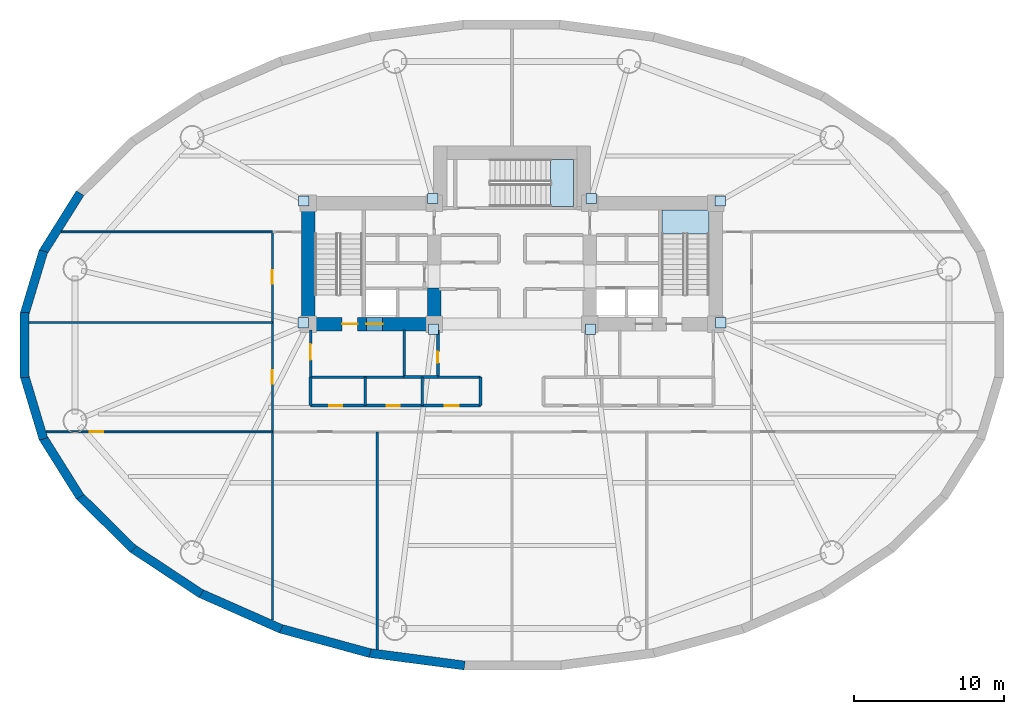
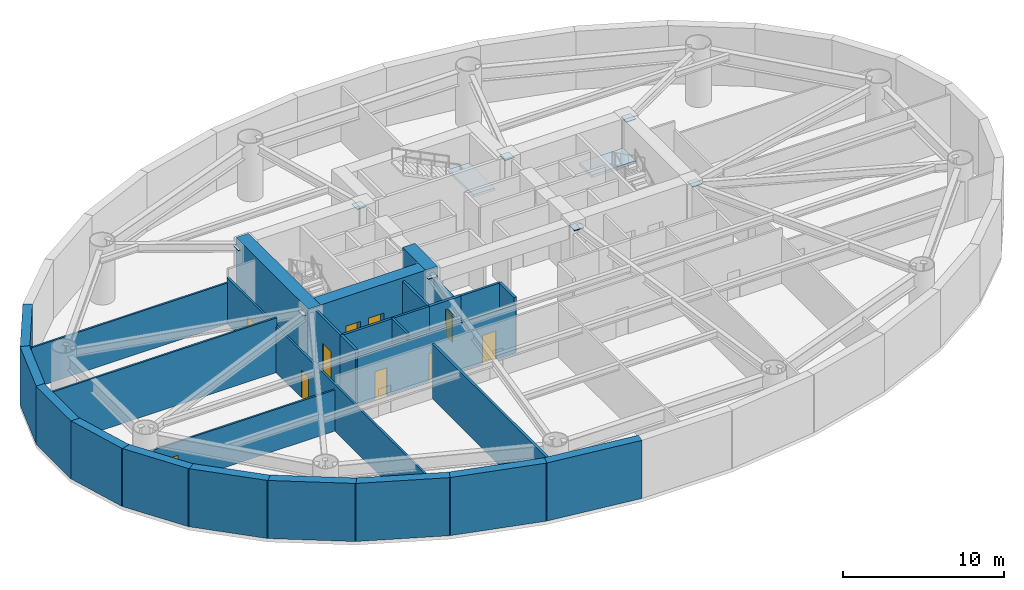
# One storey, part 2 of 6: 29 walls, 10 doors, 8 plates, 2 slabs, 10 openings, 2 elements without a shape of their own.
"""IFC4 building model written with IfcOpenShell, lengths in metres."""

from ifc_helpers import new_model, si_unit, direction, frame, frame_2d, origin, origin_2d, place, context, subcontext, project, spatial, polyline, rectangle, outline, extrude, material, layer, layer_set, type_object, element, fill, aggregate, save


model = new_model("IFC4")

# Units and contexts
model_context = context("Model", 3, precision=1e-05, world=origin(), true_north=direction((0.0, 1.0)))
body_context = subcontext(model_context, "Body", "Model", "MODEL_VIEW")
ifc_project = project(units=[si_unit("LENGTHUNIT", "METRE"), si_unit("AREAUNIT", "SQUARE_METRE"), si_unit("VOLUMEUNIT", "CUBIC_METRE"), si_unit("PLANEANGLEUNIT", "RADIAN"), si_unit("MASSUNIT", "GRAM", prefix="KILO")], contexts=[model_context])

# Site, building, storey
site_placement = place(None, origin())
site = spatial("IfcSite", under=ifc_project, at=site_placement, CompositionType="ELEMENT")
building_placement = place(site_placement, origin())
building = spatial("IfcBuilding", under=site, at=building_placement, Name="Keldmark Tower", CompositionType="ELEMENT")
storey_placement = place(building_placement, frame((0.0, 0.0, -4.39990234375)))
storey = spatial("IfcBuildingStorey", under=building, at=storey_placement, Name="B01", CompositionType="ELEMENT", Elevation=-4.39990234375)

# Plates
ifc_material_1 = material(Name="Steel ASTM A572 Grade 50", Category="steel")
ifc_layer_1 = layer(ifc_material_1, 0.06005859375)
ifc_layer_set_1 = layer_set([ifc_layer_1], Name="Steel ASTM A572 Grade 50")
plate_type = type_object("IfcPlateType", Name="Belt Truss Kink Node Assembly KN01 60 mm", PredefinedType="USERDEFINED", material=ifc_layer_set_1)
for number, where, z_axis, x_axis, name in (
    (1, (13.940673828125, 1.48046875, 3.80126953125), (0.0, 0.0, 1.0), (1.0, 0.0, 0.0), "B01 Core Wall Cast-In Embed Plate 009"),
    (2, (13.904296875, 9.623046875, 3.80126953125), (0.0, 0.0, 1.0), (1.0, 0.0, 0.0), "B01 Core Wall Cast-In Embed Plate 010"),
    (3, (5.293212890625, 9.787353515625, 3.80126953125), (0.0, 0.0, 1.0), (1.0, 0.0, 0.0), "B01 Core Wall Cast-In Embed Plate 011"),
    (4, (-5.293212890625, 9.787353515625, 3.80126953125), (0.0, 0.0, 1.0), (1.0, 0.0, 0.0), "B01 Core Wall Cast-In Embed Plate 012"),
    (5, (-13.904296875, 9.623046875, 3.80126953125), (0.0, 0.0, 1.0), (1.0, 0.0, 0.0), "B01 Core Wall Cast-In Embed Plate 013"),
    (6, (-13.940673828125, 1.48046875, 3.80126953125), (0.0, 0.0, 1.0), (1.0, 0.0, 0.0), "B01 Core Wall Cast-In Embed Plate 014"),
    (7, (-5.24462890625, 1.052978515625, 3.80126953125), (0.0, 0.0, 1.0), (1.0, 0.0, 0.0), "B01 Core Wall Cast-In Embed Plate 015"),
    (8, (5.24462890625, 1.052978515625, 3.80126953125), (0.0, 0.0, 1.0), (1.0, 0.0, 0.0), "B01 Core Wall Cast-In Embed Plate 016"),
):
    element("IfcPlate", number, at=place(storey_placement, frame(where, z_axis=z_axis, x_axis=x_axis)), inside=storey, type_object=plate_type, Name=name, ObjectType="CAP PLATE", PredefinedType="USERDEFINED", context=body_context, shape_type="SweptSolid", body=[
        extrude(rectangle(XDim=0.679931640625, YDim=0.679931640625, at=origin_2d()), origin(), (0.0, 0.0, 1.0), 0.054931640625),
    ])

# Stair, slab
ifc_material_2 = material(Name="Concrete C40/50", Category="concrete")
stair_type = type_object("IfcStairType", Name="Precast Concrete Core Exit Stair", PredefinedType="HALF_TURN_STAIR", material=ifc_material_2)
stair_1_placement = place(storey_placement, origin())
stair_1 = element("IfcStair", 9, at=stair_1_placement, inside=storey, type_object=stair_type, Name="B01 Exit Stair ST2", PredefinedType="HALF_TURN_STAIR")
ifc_material_3 = material(Name="Concrete C40/50", Category="concrete")
ifc_layer_2 = layer(ifc_material_3, 0.199951171875)
ifc_layer_set_2 = layer_set([ifc_layer_2], Name="Concrete C40/50")
slab_type = type_object("IfcSlabType", Name="Reinforced Concrete Stair Landing 200 mm", PredefinedType="LANDING", material=ifc_layer_set_2)
slab_1_placement = place(storey_placement, frame((0.0, 0.0, 2.0)))
slab_1 = element("IfcSlab", 10, at=slab_1_placement, type_object=slab_type, Name="ST2 landing 1", PredefinedType="LANDING", context=body_context, shape_type="SweptSolid", body=[
    extrude(outline(polyline([(13.14990234375, 7.409912109375), (13.14990234375, 9.0), (10.0, 9.0), (10.0, 7.409912109375), (13.14990234375, 7.409912109375)])), origin(), (0.0, 0.0, 1.0), 0.199951171875),
])
aggregate(stair_1, [slab_1])

stair_2_placement = place(storey_placement, origin())
stair_2 = element("IfcStair", 11, at=stair_2_placement, inside=storey, type_object=stair_type, Name="B01 Exit Stair ST3", PredefinedType="HALF_TURN_STAIR")
slab_2_placement = place(storey_placement, frame((0.0, 0.0, 2.0)))
slab_2 = element("IfcSlab", 12, at=slab_2_placement, type_object=slab_type, Name="ST3 landing 1", PredefinedType="LANDING", context=body_context, shape_type="SweptSolid", body=[
    extrude(outline(polyline([(2.5849609375, 9.25), (4.10498046875, 9.25), (4.10498046875, 12.39990234375), (2.5849609375, 12.39990234375), (2.5849609375, 9.25)])), origin(), (0.0, 0.0, 1.0), 0.199951171875),
])
aggregate(stair_2, [slab_2])

# Wall, openings, doors
ifc_material_4 = material(Name="Acoustic Double-Layer Gypsum Corridor Partition", Category="gypsum")
ifc_layer_3 = layer(ifc_material_4, 0.139892578125)
ifc_layer_set_3 = layer_set([ifc_layer_3], Name="Acoustic Double-Layer Gypsum Corridor Partition")
wall_type_1 = type_object("IfcWallType", Name="Acoustic Corridor Partition 140 mm", PredefinedType="PARTITIONING", material=ifc_layer_set_3)
wall_1_placement = place(storey_placement, frame((-16.0, -18.365478515625, 0.0), z_axis=(0.0, 0.0, 1.0), x_axis=(0.0, 1.0, 0.0)))
wall_1 = element("IfcWall", 13, at=wall_1_placement, inside=storey, type_object=wall_type_1, Name="B01 Acoustic Corridor Partition 140 mm COR-W", PredefinedType="PARTITIONING", context=body_context, shape_type="SweptSolid", body=[
    extrude(rectangle(XDim=25.91552734375, YDim=0.139892578125, at=frame_2d((12.957763671875, 0.0))), origin(), (0.0, 0.0, 1.0), 3.5078125),
])
opening_1_placement = place(wall_1_placement, frame((15.765869140625, 0.0, 0.0)))
opening_1 = element("IfcOpeningElement", 14, at=opening_1_placement, cuts=wall_1, Name="Opening D-IN090", PredefinedType="OPENING", context=body_context, shape_type="SweptSolid", body=[
    extrude(rectangle(XDim=0.89990234375, YDim=2.10009765625, at=frame_2d((0.449951171875, 1.050048828125))), frame((0.0, 0.079833984375, 0.0), z_axis=(0.0, -1.0, 0.0), x_axis=(1.0, 0.0, 0.0)), (0.0, 0.0, 1.0), 0.159912109375),
])
opening_2_placement = place(wall_1_placement, frame((22.44091796875, 0.0, 0.0)))
opening_2 = element("IfcOpeningElement", 15, at=opening_2_placement, cuts=wall_1, Name="Opening D-IN090", PredefinedType="OPENING", context=body_context, shape_type="SweptSolid", body=[
    extrude(rectangle(XDim=0.89990234375, YDim=2.10009765625, at=frame_2d((0.449951171875, 1.050048828125))), frame((0.0, 0.079833984375, 0.0), z_axis=(0.0, -1.0, 0.0), x_axis=(1.0, 0.0, 0.0)), (0.0, 0.0, 1.0), 0.159912109375),
])
ifc_material_5 = material(Name="Stained American White Oak Veneer", Category="wood")
door_type_1 = type_object("IfcDoorType", Name="Interior Door 900x2100", OperationType="NOTDEFINED", PredefinedType="DOOR", material=ifc_material_5)
door_1_placement = place(opening_1_placement, origin())
door_1 = element("IfcDoor", 16, at=door_1_placement, inside=storey, type_object=door_type_1, Name="B01 Interior Door 900x2100 D-WR-1-B01", OperationType="SINGLE_SWING_LEFT", OverallHeight=2.10009765625, OverallWidth=0.89990234375, PredefinedType="DOOR", context=body_context, shape_type="SweptSolid", body=[
    extrude(rectangle(XDim=0.89990234375, YDim=2.10009765625, at=frame_2d((0.449951171875, 1.050048828125))), frame((0.0, 0.02490234375, 0.0), z_axis=(0.0, -1.0, 0.0), x_axis=(1.0, 0.0, 0.0)), (0.0, 0.0, 1.0), 0.050048828125),
])
fill(opening_1, door_1)
door_2_placement = place(opening_2_placement, origin())
door_2 = element("IfcDoor", 17, at=door_2_placement, inside=storey, type_object=door_type_1, Name="B01 Interior Door 900x2100 D-WR-2-B01", OperationType="SINGLE_SWING_RIGHT", OverallHeight=2.10009765625, OverallWidth=0.89990234375, PredefinedType="DOOR", context=body_context, shape_type="SweptSolid", body=[
    extrude(rectangle(XDim=0.89990234375, YDim=2.10009765625, at=frame_2d((0.449951171875, 1.050048828125))), frame((0.0, 0.02490234375, 0.0), z_axis=(0.0, -1.0, 0.0), x_axis=(1.0, 0.0, 0.0)), (0.0, 0.0, 1.0), 0.050048828125),
])
fill(opening_2, door_2)

# Walls
ifc_material_6 = material(Name="Concrete C50/60", Category="concrete")
ifc_layer_4 = layer(ifc_material_6, 0.60009765625)
ifc_layer_set_4 = layer_set([ifc_layer_4], Name="Concrete C50/60")
wall_type_2 = type_object("IfcWallType", Name="Basement Retaining Wall 600 mm", PredefinedType="USERDEFINED", material=ifc_layer_set_4)
wall_2_placement = place(storey_placement, frame((-28.833251953125, 10.142333984375, 0.0), z_axis=(0.0, 0.0, 1.0), x_axis=(-0.531244363113, -0.847218641592, 0.0)))
element("IfcWall", 18, at=wall_2_placement, inside=storey, type_object=wall_type_2, Name="B01 Perimeter Retaining Wall 14", ObjectType="RETAINING WALL", PredefinedType="USERDEFINED", context=body_context, shape_type="SweptSolid", body=[
    extrude(rectangle(XDim=4.72021484375, YDim=0.60009765625, at=frame_2d((2.360107421875, 0.0))), origin(), (0.0, 0.0, 1.0), 4.39990234375),
])
wall_3_placement = place(storey_placement, frame((-31.283203125, 6.2705078125, 0.0), z_axis=(0.0, 0.0, 1.0), x_axis=(-0.288296686647, -0.95754113252, 0.0)))
element("IfcWall", 19, at=wall_3_placement, inside=storey, type_object=wall_type_2, Name="B01 Perimeter Retaining Wall 15", ObjectType="RETAINING WALL", PredefinedType="USERDEFINED", context=body_context, shape_type="SweptSolid", body=[
    extrude(rectangle(XDim=4.4375, YDim=0.60009765625, at=frame_2d((2.21875, 0.0))), origin(), (0.0, 0.0, 1.0), 4.39990234375),
])
wall_4_placement = place(storey_placement, frame((-32.541015625, 2.166748046875, 0.0), z_axis=(0.0, 0.0, 1.0), x_axis=(0.0, -1.0, 0.0)))
element("IfcWall", 20, at=wall_4_placement, inside=storey, type_object=wall_type_2, Name="B01 Perimeter Retaining Wall 16", ObjectType="RETAINING WALL", PredefinedType="USERDEFINED", context=body_context, shape_type="SweptSolid", body=[
    extrude(rectangle(XDim=4.33349609375, YDim=0.60009765625, at=frame_2d((2.166748046875, 0.0))), origin(), (0.0, 0.0, 1.0), 4.39990234375),
])
wall_5_placement = place(storey_placement, frame((-32.5625, -2.021484375, 0.0), z_axis=(0.0, 0.0, 1.0), x_axis=(0.288296686647, -0.95754113252, 0.0)))
element("IfcWall", 21, at=wall_5_placement, inside=storey, type_object=wall_type_2, Name="B01 Perimeter Retaining Wall 17", ObjectType="RETAINING WALL", PredefinedType="USERDEFINED", context=body_context, shape_type="SweptSolid", body=[
    extrude(rectangle(XDim=4.4375, YDim=0.60009765625, at=frame_2d((2.21875, 0.0))), origin(), (0.0, 0.0, 1.0), 4.39990234375),
])
wall_6_placement = place(storey_placement, frame((-31.3408203125, -6.143310546875, 0.0), z_axis=(0.0, 0.0, 1.0), x_axis=(0.531244363113, -0.847218641592, 0.0)))
element("IfcWall", 22, at=wall_6_placement, inside=storey, type_object=wall_type_2, Name="B01 Perimeter Retaining Wall 18", ObjectType="RETAINING WALL", PredefinedType="USERDEFINED", context=body_context, shape_type="SweptSolid", body=[
    extrude(rectangle(XDim=4.72021484375, YDim=0.60009765625, at=frame_2d((2.360107421875, 0.0))), origin(), (0.0, 0.0, 1.0), 4.39990234375),
])
wall_7_placement = place(storey_placement, frame((-28.913818359375, -10.0419921875, 0.0), z_axis=(0.0, 0.0, 1.0), x_axis=(0.711105403666, -0.70308541791, 0.0)))
element("IfcWall", 23, at=wall_7_placement, inside=storey, type_object=wall_type_2, Name="B01 Perimeter Retaining Wall 19", ObjectType="RETAINING WALL", PredefinedType="USERDEFINED", context=body_context, shape_type="SweptSolid", body=[
    extrude(rectangle(XDim=5.1142578125, YDim=0.60009765625, at=frame_2d((2.55712890625, 0.0))), origin(), (0.0, 0.0, 1.0), 4.39990234375),
])
wall_8_placement = place(storey_placement, frame((-25.368896484375, -13.56298828125, 0.0), z_axis=(0.0, 0.0, 1.0), x_axis=(0.834367518908, -0.551208529861, 0.0)))
element("IfcWall", 24, at=wall_8_placement, inside=storey, type_object=wall_type_2, Name="B01 Perimeter Retaining Wall 20", ObjectType="RETAINING WALL", PredefinedType="USERDEFINED", context=body_context, shape_type="SweptSolid", body=[
    extrude(rectangle(XDim=5.542236328125, YDim=0.60009765625, at=frame_2d((2.77099609375, 0.0))), origin(), (0.0, 0.0, 1.0), 4.39990234375),
])
wall_9_placement = place(storey_placement, frame((-20.84130859375, -16.56494140625, 0.0), z_axis=(0.0, 0.0, 1.0), x_axis=(0.91483072277, -0.403837527574, 0.0)))
element("IfcWall", 25, at=wall_9_placement, inside=storey, type_object=wall_type_2, Name="B01 Perimeter Retaining Wall 21", ObjectType="RETAINING WALL", PredefinedType="USERDEFINED", context=body_context, shape_type="SweptSolid", body=[
    extrude(rectangle(XDim=5.939697265625, YDim=0.60009765625, at=frame_2d((2.9697265625, 0.0))), origin(), (0.0, 0.0, 1.0), 4.39990234375),
])
wall_10_placement = place(storey_placement, frame((-15.505859375, -18.9287109375, 0.0), z_axis=(0.0, 0.0, 1.0), x_axis=(0.964548276597, -0.263906464707, 0.0)))
element("IfcWall", 26, at=wall_10_placement, inside=storey, type_object=wall_type_2, Name="B01 Perimeter Retaining Wall 22", ObjectType="RETAINING WALL", PredefinedType="USERDEFINED", context=body_context, shape_type="SweptSolid", body=[
    extrude(rectangle(XDim=6.256591796875, YDim=0.60009765625, at=frame_2d((3.12841796875, 0.0))), origin(), (0.0, 0.0, 1.0), 4.39990234375),
])
wall_11_placement = place(storey_placement, frame((-9.570068359375, -20.559814453125, 0.0), z_axis=(0.0, 0.0, 1.0), x_axis=(0.991471782517, -0.130321542624, 0.0)))
element("IfcWall", 27, at=wall_11_placement, inside=storey, type_object=wall_type_2, Name="B01 Perimeter Retaining Wall 23", ObjectType="RETAINING WALL", PredefinedType="USERDEFINED", context=body_context, shape_type="SweptSolid", body=[
    extrude(rectangle(XDim=6.45947265625, YDim=0.60009765625, at=frame_2d((3.229736328125, 0.0))), origin(), (0.0, 0.0, 1.0), 4.39990234375),
])
ifc_material_7 = material(Name="STC-58 Insulated Tenant Demising Gypsum Partition", Category="gypsum")
ifc_layer_5 = layer(ifc_material_7, 0.175048828125)
ifc_layer_set_5 = layer_set([ifc_layer_5], Name="STC-58 Insulated Tenant Demising Gypsum Partition")
wall_type_3 = type_object("IfcWallType", Name="Demising Suite Partition 175 mm", PredefinedType="PARTITIONING", material=ifc_layer_set_5)
wall_12_placement = place(storey_placement, frame((-9.0, -20.32421875, 0.0), z_axis=(0.0, 0.0, 1.0), x_axis=(0.0, 1.0, 0.0)))
element("IfcWall", 28, at=wall_12_placement, inside=storey, type_object=wall_type_3, Name="B01 Demising Suite Partition 175 mm S-DIV-1", PredefinedType="PARTITIONING", context=body_context, shape_type="SweptSolid", body=[
    extrude(rectangle(XDim=14.524169921875, YDim=0.175048828125, at=frame_2d((7.26220703125, 0.0))), origin(), (0.0, 0.0, 1.0), 4.139892578125),
])

# Wall, openings, doors
ifc_material_8 = material(Name="Heavy Acoustic Plumbing Chase Gypsum Assembly", Category="gypsum")
ifc_layer_6 = layer(ifc_material_8, 0.18994140625)
ifc_layer_set_6 = layer_set([ifc_layer_6], Name="Heavy Acoustic Plumbing Chase Gypsum Assembly")
wall_type_4 = type_object("IfcWallType", Name="Heavy Wet Wall 190 mm", PredefinedType="PLUMBINGWALL", material=ifc_layer_set_6)
wall_13_placement = place(storey_placement, frame((-13.449951171875, -4.050048828125, 0.0), z_axis=(0.0, 0.0, 1.0), x_axis=(1.0, 0.0, 0.0)))
wall_13 = element("IfcWall", 29, at=wall_13_placement, inside=storey, type_object=wall_type_4, Name="B01 Heavy Wet Wall 190 mm SPK-W-S", PredefinedType="PLUMBINGWALL", context=body_context, shape_type="SweptSolid", body=[
    extrude(rectangle(XDim=11.349853515625, YDim=0.18994140625, at=frame_2d((5.6748046875, 0.0))), origin(), (0.0, 0.0, 1.0), 3.6669921875),
])
opening_3_placement = place(wall_13_placement, frame((1.25, 0.0, 0.0)))
opening_3 = element("IfcOpeningElement", 30, at=opening_3_placement, cuts=wall_13, Name="Opening D-WC085", PredefinedType="OPENING", context=body_context, shape_type="SweptSolid", body=[
    extrude(rectangle(XDim=0.85009765625, YDim=2.10009765625, at=frame_2d((0.425048828125, 1.050048828125))), frame((0.0, 0.10498046875, 0.0), z_axis=(0.0, -1.0, 0.0), x_axis=(1.0, 0.0, 0.0)), (0.0, 0.0, 1.0), 0.2099609375),
])
opening_4_placement = place(wall_13_placement, frame((5.10009765625, 0.0, 0.0)))
opening_4 = element("IfcOpeningElement", 31, at=opening_4_placement, cuts=wall_13, Name="Opening D-WC085", PredefinedType="OPENING", context=body_context, shape_type="SweptSolid", body=[
    extrude(rectangle(XDim=0.85009765625, YDim=2.10009765625, at=frame_2d((0.425048828125, 1.050048828125))), frame((0.0, 0.10498046875, 0.0), z_axis=(0.0, -1.0, 0.0), x_axis=(1.0, 0.0, 0.0)), (0.0, 0.0, 1.0), 0.2099609375),
])
opening_5_placement = place(wall_13_placement, frame((8.949951171875, 0.0, 0.0)))
opening_5 = element("IfcOpeningElement", 32, at=opening_5_placement, cuts=wall_13, Name="Opening D-AWC95", PredefinedType="OPENING", context=body_context, shape_type="SweptSolid", body=[
    extrude(rectangle(XDim=0.949951171875, YDim=2.14990234375, at=frame_2d((0.47509765625, 1.074951171875))), frame((0.0, 0.10498046875, 0.0), z_axis=(0.0, -1.0, 0.0), x_axis=(1.0, 0.0, 0.0)), (0.0, 0.0, 1.0), 0.2099609375),
])
ifc_material_9 = material(Name="Painted Solid-Core Architectural Wood", Category="wood")
door_type_2 = type_object("IfcDoorType", Name="Accessible WC Door 950x2150", OperationType="NOTDEFINED", PredefinedType="DOOR", material=ifc_material_9)
door_3_placement = place(opening_5_placement, origin())
door_3 = element("IfcDoor", 33, at=door_3_placement, inside=storey, type_object=door_type_2, Name="B01 Accessible WC Door 950x2150 D-SPKW3-B01", OperationType="SINGLE_SWING_LEFT", OverallHeight=2.14990234375, OverallWidth=0.949951171875, PredefinedType="DOOR", context=body_context, shape_type="SweptSolid", body=[
    extrude(rectangle(XDim=0.949951171875, YDim=2.14990234375, at=frame_2d((0.47509765625, 1.074951171875))), frame((0.0, 0.02490234375, 0.0), z_axis=(0.0, -1.0, 0.0), x_axis=(1.0, 0.0, 0.0)), (0.0, 0.0, 1.0), 0.050048828125),
])
fill(opening_5, door_3)
ifc_material_10 = material(Name="Moisture-Sealed Painted Wood", Category="wood")
door_type_3 = type_object("IfcDoorType", Name="WC Door 850x2100", OperationType="NOTDEFINED", PredefinedType="DOOR", material=ifc_material_10)
door_4_placement = place(opening_3_placement, origin())
door_4 = element("IfcDoor", 34, at=door_4_placement, inside=storey, type_object=door_type_3, Name="B01 WC Door 850x2100 D-SPKW1-B01", OperationType="SINGLE_SWING_LEFT", OverallHeight=2.10009765625, OverallWidth=0.85009765625, PredefinedType="DOOR", context=body_context, shape_type="SweptSolid", body=[
    extrude(rectangle(XDim=0.85009765625, YDim=2.10009765625, at=frame_2d((0.425048828125, 1.050048828125))), frame((0.0, 0.02490234375, 0.0), z_axis=(0.0, -1.0, 0.0), x_axis=(1.0, 0.0, 0.0)), (0.0, 0.0, 1.0), 0.050048828125),
])
fill(opening_3, door_4)
door_5_placement = place(opening_4_placement, origin())
door_5 = element("IfcDoor", 35, at=door_5_placement, inside=storey, type_object=door_type_3, Name="B01 WC Door 850x2100 D-SPKW2-B01", OperationType="SINGLE_SWING_RIGHT", OverallHeight=2.10009765625, OverallWidth=0.85009765625, PredefinedType="DOOR", context=body_context, shape_type="SweptSolid", body=[
    extrude(rectangle(XDim=0.85009765625, YDim=2.10009765625, at=frame_2d((0.425048828125, 1.050048828125))), frame((0.0, 0.02490234375, 0.0), z_axis=(0.0, -1.0, 0.0), x_axis=(1.0, 0.0, 0.0)), (0.0, 0.0, 1.0), 0.050048828125),
])
fill(opening_4, door_5)

# Walls
for number, where, z_axis, x_axis, name in (
    (36, (-13.449951171875, -4.050048828125, 0.0), (0.0, 0.0, 1.0), (0.0, 1.0, 0.0), "B01 Heavy Wet Wall 190 mm SPK-W-W"),
    (37, (-2.10009765625, -4.050048828125, 0.0), (0.0, 0.0, 1.0), (0.0, 1.0, 0.0), "B01 Heavy Wet Wall 190 mm SPK-W-E"),
):
    element("IfcWall", number, at=place(storey_placement, frame(where, z_axis=z_axis, x_axis=x_axis)), inside=storey, type_object=wall_type_4, Name=name, PredefinedType="PLUMBINGWALL", context=body_context, shape_type="SweptSolid", body=[
        extrude(rectangle(XDim=1.900146484375, YDim=0.18994140625, at=frame_2d((0.9501953125, 0.0))), origin(), (0.0, 0.0, 1.0), 4.139892578125),
    ])
ifc_material_11 = material(Name="Acoustic Gypsum Board Interior Partition", Category="gypsum")
ifc_layer_7 = layer(ifc_material_11, 0.1298828125)
ifc_layer_set_7 = layer_set([ifc_layer_7], Name="Acoustic Gypsum Board Interior Partition")
wall_type_5 = type_object("IfcWallType", Name="Interior Partition 130 mm", PredefinedType="PARTITIONING", material=ifc_layer_set_7)
wall_14_placement = place(storey_placement, frame((-30.09521484375, 7.550048828125, 0.0), z_axis=(0.0, 0.0, 1.0), x_axis=(1.0, 0.0, 0.0)))
element("IfcWall", 38, at=wall_14_placement, inside=storey, type_object=wall_type_5, Name="B01 Interior Partition 130 mm W-CAP-N", PredefinedType="PARTITIONING", context=body_context, shape_type="SweptSolid", body=[
    extrude(rectangle(XDim=14.09521484375, YDim=0.1298828125, at=frame_2d((7.047607421875, 0.0))), origin(), (0.0, 0.0, 1.0), 3.117919921875),
])

# Wall, opening, door
wall_15_placement = place(storey_placement, frame((-31.10302734375, -5.800048828125, 0.0), z_axis=(0.0, 0.0, 1.0), x_axis=(1.0, 0.0, 0.0)))
wall_15 = element("IfcWall", 39, at=wall_15_placement, inside=storey, type_object=wall_type_5, Name="B01 Interior Partition 130 mm W-CAP-S", PredefinedType="PARTITIONING", context=body_context, shape_type="SweptSolid", body=[
    extrude(rectangle(XDim=15.10302734375, YDim=0.1298828125, at=frame_2d((7.551513671875, 0.0))), origin(), (0.0, 0.0, 1.0), 3.117919921875),
])
opening_6_placement = place(wall_15_placement, frame((2.909912109375, 0.0, 0.0)))
opening_6 = element("IfcOpeningElement", 40, at=opening_6_placement, cuts=wall_15, Name="Opening D-IN090", PredefinedType="OPENING", context=body_context, shape_type="SweptSolid", body=[
    extrude(rectangle(XDim=0.89990234375, YDim=2.10009765625, at=frame_2d((0.449951171875, 1.050048828125))), frame((0.0, 0.074951171875, 0.0), z_axis=(0.0, -1.0, 0.0), x_axis=(1.0, 0.0, 0.0)), (0.0, 0.0, 1.0), 0.14990234375),
])
door_6_placement = place(opening_6_placement, origin())
door_6 = element("IfcDoor", 41, at=door_6_placement, inside=storey, type_object=door_type_1, Name="B01 Interior Door 900x2100 D-WRSW-B01", OperationType="SINGLE_SWING_RIGHT", OverallHeight=2.10009765625, OverallWidth=0.89990234375, PredefinedType="DOOR", context=body_context, shape_type="SweptSolid", body=[
    extrude(rectangle(XDim=0.89990234375, YDim=2.10009765625, at=frame_2d((0.449951171875, 1.050048828125))), frame((0.0, 0.02490234375, 0.0), z_axis=(0.0, -1.0, 0.0), x_axis=(1.0, 0.0, 0.0)), (0.0, 0.0, 1.0), 0.050048828125),
])
fill(opening_6, door_6)

# Walls
wall_16_placement = place(storey_placement, frame((-32.233154296875, 1.5, 0.0), z_axis=(0.0, 0.0, 1.0), x_axis=(1.0, 0.0, 0.0)))
element("IfcWall", 42, at=wall_16_placement, inside=storey, type_object=wall_type_5, Name="B01 Interior Partition 130 mm W-DIV-1", PredefinedType="PARTITIONING", context=body_context, shape_type="SweptSolid", body=[
    extrude(rectangle(XDim=16.233154296875, YDim=0.1298828125, at=frame_2d((8.11669921875, 0.0))), origin(), (0.0, 0.0, 1.0), 4.139892578125),
])
ifc_material_12 = material(Name="Concrete C70/85", Category="concrete")
ifc_layer_8 = layer(ifc_material_12, 0.89990234375)
ifc_layer_set_8 = layer_set([ifc_layer_8], Name="Concrete C70/85")
wall_type_6 = type_object("IfcWallType", Name="Lower Core Shear Wall 900 mm", PredefinedType="SHEAR", material=ifc_layer_set_8)
wall_17_placement = place(storey_placement, frame((-13.60009765625, 0.949951171875, 0.0), z_axis=(0.0, 0.0, 1.0), x_axis=(0.0, 1.0, 0.0)))
element("IfcWall", 43, at=wall_17_placement, inside=storey, type_object=wall_type_6, Name="B01 West Core Outer Shear Wall", PredefinedType="SHEAR", context=body_context, shape_type="SweptSolid", body=[
    extrude(rectangle(XDim=8.949951171875, YDim=0.89990234375, at=frame_2d((4.47509765625, 0.0))), origin(), (0.0, 0.0, 1.0), 4.39990234375),
])

# Wall, openings, doors
wall_18_placement = place(storey_placement, frame((-4.75, 1.39990234375, 0.0), z_axis=(0.0, 0.0, 1.0), x_axis=(-1.0, 0.0, 0.0)))
wall_18 = element("IfcWall", 44, at=wall_18_placement, inside=storey, type_object=wall_type_6, Name="B01 West Core South Shear Wall", PredefinedType="SHEAR", context=body_context, shape_type="SweptSolid", body=[
    extrude(rectangle(XDim=9.300048828125, YDim=0.89990234375, at=frame_2d((4.64990234375, 0.0))), origin(), (0.0, 0.0, 1.0), 4.39990234375),
])
opening_7_placement = place(wall_18_placement, frame((5.550048828125, 0.0, 0.0)))
opening_7 = element("IfcOpeningElement", 45, at=opening_7_placement, cuts=wall_18, Name="Opening D-ST105", PredefinedType="OPENING", context=body_context, shape_type="SweptSolid", body=[
    extrude(rectangle(XDim=1.050048828125, YDim=2.14990234375, at=frame_2d((0.52490234375, 1.074951171875))), frame((0.0, 0.4599609375, 0.0), z_axis=(0.0, -1.0, 0.0), x_axis=(1.0, 0.0, 0.0)), (0.0, 0.0, 1.0), 0.919921875),
])
opening_8_placement = place(wall_18_placement, frame((3.8798828125, 0.0, 0.0)))
opening_8 = element("IfcOpeningElement", 46, at=opening_8_placement, cuts=wall_18, Name="Opening LD-110", PredefinedType="OPENING", context=body_context, shape_type="SweptSolid", body=[
    extrude(rectangle(XDim=1.10009765625, YDim=2.199951171875, at=frame_2d((0.550048828125, 1.10009765625))), frame((0.0, 0.4599609375, 0.0), z_axis=(0.0, -1.0, 0.0), x_axis=(1.0, 0.0, 0.0)), (0.0, 0.0, 1.0), 0.919921875),
])
ifc_material_13 = material(Name="Brushed Bronze Hoistway Sliding Leaf", Category="metal")
door_type_4 = type_object("IfcDoorType", Name="Lift Landing Sliding Door 1100x2200", OperationType="SLIDING_TO_LEFT", PredefinedType="DOOR", material=ifc_material_13)
door_7_placement = place(opening_8_placement, origin())
door_7 = element("IfcDoor", 47, at=door_7_placement, inside=storey, type_object=door_type_4, Name="B01 Lift Landing Sliding Door 1100x2200 LD-EL-FS1-B01", OperationType="SLIDING_TO_LEFT", OverallHeight=2.199951171875, OverallWidth=1.10009765625, PredefinedType="DOOR", context=body_context, shape_type="SweptSolid", body=[
    extrude(rectangle(XDim=1.10009765625, YDim=2.199951171875, at=frame_2d((0.550048828125, 1.10009765625))), frame((0.0, 0.02490234375, 0.0), z_axis=(0.0, -1.0, 0.0), x_axis=(1.0, 0.0, 0.0)), (0.0, 0.0, 1.0), 0.050048828125),
])
fill(opening_8, door_7)
ifc_material_14 = material(Name="Hollow Metal Fire-Rated Door Assembly", Category="metal")
door_type_5 = type_object("IfcDoorType", Name="Stair Fire Door 1050x2150", OperationType="NOTDEFINED", PredefinedType="DOOR", material=ifc_material_14)
door_8_placement = place(opening_7_placement, origin())
door_8 = element("IfcDoor", 48, at=door_8_placement, inside=storey, type_object=door_type_5, Name="B01 Stair Fire Door 1050x2150 D-ST1-B01", OperationType="SINGLE_SWING_RIGHT", OverallHeight=2.14990234375, OverallWidth=1.050048828125, PredefinedType="DOOR", context=body_context, shape_type="SweptSolid", body=[
    extrude(rectangle(XDim=1.050048828125, YDim=2.14990234375, at=frame_2d((0.52490234375, 1.074951171875))), frame((0.0, 0.02490234375, 0.0), z_axis=(0.0, -1.0, 0.0), x_axis=(1.0, 0.0, 0.0)), (0.0, 0.0, 1.0), 0.050048828125),
])
fill(opening_7, door_8)

# Walls
wall_19_placement = place(storey_placement, frame((-5.199951171875, 0.949951171875, 0.0), z_axis=(0.0, 0.0, 1.0), x_axis=(0.0, 1.0, 0.0)))
element("IfcWall", 49, at=wall_19_placement, inside=storey, type_object=wall_type_6, Name="B01 West Core Inner Shear Pier South", PredefinedType="SHEAR", context=body_context, shape_type="SweptSolid", body=[
    extrude(rectangle(XDim=2.85009765625, YDim=0.89990234375, at=frame_2d((1.425048828125, 0.0))), origin(), (0.0, 0.0, 1.0), 4.39990234375),
])
ifc_material_15 = material(Name="Type X Fire-Rated Gypsum Partition Assembly", Category="gypsum")
ifc_layer_9 = layer(ifc_material_15, 0.1650390625)
ifc_layer_set_9 = layer_set([ifc_layer_9], Name="Type X Fire-Rated Gypsum Partition Assembly")
wall_type_7 = type_object("IfcWallType", Name="Rated Partition 165 mm", PredefinedType="PARTITIONING", material=ifc_layer_set_9)
wall_20_placement = place(storey_placement, frame((-13.449951171875, -2.14990234375, 0.0), z_axis=(0.0, 0.0, 1.0), x_axis=(1.0, 0.0, 0.0)))
element("IfcWall", 50, at=wall_20_placement, inside=storey, type_object=wall_type_7, Name="B01 Rated Partition 165 mm FSAE-W-S", PredefinedType="PARTITIONING", context=body_context, shape_type="SweptSolid", body=[
    extrude(rectangle(XDim=6.25, YDim=0.1650390625, at=frame_2d((3.125, 0.0))), origin(), (0.0, 0.0, 1.0), 4.139892578125),
])

# Wall, opening, door
wall_21_placement = place(storey_placement, frame((-13.449951171875, -2.14990234375, 0.0), z_axis=(0.0, 0.0, 1.0), x_axis=(0.0, 1.0, 0.0)))
wall_21 = element("IfcWall", 51, at=wall_21_placement, inside=storey, type_object=wall_type_7, Name="B01 Rated Partition 165 mm FSAE-W-W", PredefinedType="PARTITIONING", context=body_context, shape_type="SweptSolid", body=[
    extrude(rectangle(XDim=3.14990234375, YDim=0.1650390625, at=frame_2d((1.574951171875, 0.0))), origin(), (0.0, 0.0, 1.0), 4.139892578125),
])
opening_9_placement = place(wall_21_placement, frame((1.14990234375, 0.0, 0.0)))
opening_9 = element("IfcOpeningElement", 52, at=opening_9_placement, cuts=wall_21, Name="Opening D-FL105", PredefinedType="OPENING", context=body_context, shape_type="SweptSolid", body=[
    extrude(rectangle(XDim=1.050048828125, YDim=2.14990234375, at=frame_2d((0.52490234375, 1.074951171875))), frame((0.0, 0.092529296875, 0.0), z_axis=(0.0, -1.0, 0.0), x_axis=(1.0, 0.0, 0.0)), (0.0, 0.0, 1.0), 0.18505859375),
])
ifc_material_16 = material(Name="Fire-Rated Mineral-Core Door and Vision Lite", Category="metal")
door_type_6 = type_object("IfcDoorType", Name="Fire Lobby Door 1050x2150", OperationType="NOTDEFINED", PredefinedType="DOOR", material=ifc_material_16)
door_9_placement = place(opening_9_placement, origin())
door_9 = element("IfcDoor", 53, at=door_9_placement, inside=storey, type_object=door_type_6, Name="B01 Fire Lobby Door 1050x2150 D-FSAEW-OUT-B01", OperationType="SINGLE_SWING_LEFT", OverallHeight=2.14990234375, OverallWidth=1.050048828125, PredefinedType="DOOR", context=body_context, shape_type="SweptSolid", body=[
    extrude(rectangle(XDim=1.050048828125, YDim=2.14990234375, at=frame_2d((0.52490234375, 1.074951171875))), frame((0.0, 0.02490234375, 0.0), z_axis=(0.0, -1.0, 0.0), x_axis=(1.0, 0.0, 0.0)), (0.0, 0.0, 1.0), 0.050048828125),
])
fill(opening_9, door_9)

# Walls
wall_22_placement = place(storey_placement, frame((-7.199951171875, -2.14990234375, 0.0), z_axis=(0.0, 0.0, 1.0), x_axis=(0.0, 1.0, 0.0)))
element("IfcWall", 54, at=wall_22_placement, inside=storey, type_object=wall_type_7, Name="B01 Rated Partition 165 mm FSAE-W-E", PredefinedType="PARTITIONING", context=body_context, shape_type="SweptSolid", body=[
    extrude(rectangle(XDim=3.14990234375, YDim=0.1650390625, at=frame_2d((1.574951171875, 0.0))), origin(), (0.0, 0.0, 1.0), 4.139892578125),
])
ifc_material_17 = material(Name="Fire-Resistant Type X Gypsum Shaftliner Coreboard", Category="gypsum")
ifc_layer_10 = layer(ifc_material_17, 0.199951171875)
ifc_layer_set_10 = layer_set([ifc_layer_10], Name="Fire-Resistant Type X Gypsum Shaftliner Coreboard")
wall_type_8 = type_object("IfcWallType", Name="Shaft Wall 200 mm", PredefinedType="SOLIDWALL", material=ifc_layer_set_10)
wall_23_placement = place(storey_placement, frame((-7.199951171875, -2.14990234375, 0.0), z_axis=(0.0, 0.0, 1.0), x_axis=(1.0, 0.0, 0.0)))
element("IfcWall", 55, at=wall_23_placement, inside=storey, type_object=wall_type_8, Name="B01 Shaft Wall 200 mm RIS-SW-S", PredefinedType="SOLIDWALL", context=body_context, shape_type="SweptSolid", body=[
    extrude(rectangle(XDim=2.25, YDim=0.199951171875, at=frame_2d((1.125, 0.0))), origin(), (0.0, 0.0, 1.0), 4.139892578125),
])

# Wall, opening, door
wall_24_placement = place(storey_placement, frame((-4.949951171875, -2.14990234375, 0.0), z_axis=(0.0, 0.0, 1.0), x_axis=(0.0, 1.0, 0.0)))
wall_24 = element("IfcWall", 56, at=wall_24_placement, inside=storey, type_object=wall_type_8, Name="B01 Shaft Wall 200 mm RIS-SW-E", PredefinedType="SOLIDWALL", context=body_context, shape_type="SweptSolid", body=[
    extrude(rectangle(XDim=3.14990234375, YDim=0.199951171875, at=frame_2d((1.574951171875, 0.0))), origin(), (0.0, 0.0, 1.0), 3.5078125),
])
opening_10_placement = place(wall_24_placement, frame((0.949951171875, 0.0, 0.0)))
opening_10 = element("IfcOpeningElement", 57, at=opening_10_placement, cuts=wall_24, Name="Opening D-RS075", PredefinedType="OPENING", context=body_context, shape_type="SweptSolid", body=[
    extrude(rectangle(XDim=0.75, YDim=2.10009765625, at=frame_2d((0.375, 1.050048828125))), frame((0.0, 0.10986328125, 0.0), z_axis=(0.0, -1.0, 0.0), x_axis=(1.0, 0.0, 0.0)), (0.0, 0.0, 1.0), 0.219970703125),
])
ifc_material_18 = material(Name="Galvanized Fire-Rated Access Leaf", Category="metal")
door_type_7 = type_object("IfcDoorType", Name="Riser Access Door 750x2100", OperationType="NOTDEFINED", PredefinedType="DOOR", material=ifc_material_18)
door_10_placement = place(opening_10_placement, origin())
door_10 = element("IfcDoor", 58, at=door_10_placement, inside=storey, type_object=door_type_7, Name="B01 Riser Access Door 750x2100 D-RISSW-B01", OperationType="SINGLE_SWING_RIGHT", OverallHeight=2.10009765625, OverallWidth=0.75, PredefinedType="DOOR", context=body_context, shape_type="SweptSolid", body=[
    extrude(rectangle(XDim=0.75, YDim=2.10009765625, at=frame_2d((0.375, 1.050048828125))), frame((0.0, 0.02490234375, 0.0), z_axis=(0.0, -1.0, 0.0), x_axis=(1.0, 0.0, 0.0)), (0.0, 0.0, 1.0), 0.050048828125),
])
fill(opening_10, door_10)

# Walls
ifc_material_19 = material(Name="Moisture-Resistant Gypsum Plumbing Partition", Category="gypsum")
ifc_layer_11 = layer(ifc_material_19, 0.14990234375)
ifc_layer_set_11 = layer_set([ifc_layer_11], Name="Moisture-Resistant Gypsum Plumbing Partition")
wall_type_9 = type_object("IfcWallType", Name="Wet Wall 150 mm", PredefinedType="PLUMBINGWALL", material=ifc_layer_set_11)
wall_25_placement = place(storey_placement, frame((-4.949951171875, -2.14990234375, 0.0), z_axis=(0.0, 0.0, 1.0), x_axis=(1.0, 0.0, 0.0)))
element("IfcWall", 59, at=wall_25_placement, inside=storey, type_object=wall_type_9, Name="B01 Wet Wall 150 mm SPK-W-N", PredefinedType="PLUMBINGWALL", context=body_context, shape_type="SweptSolid", body=[
    extrude(rectangle(XDim=2.849853515625, YDim=0.14990234375, at=frame_2d((1.4248046875, 0.0))), origin(), (0.0, 0.0, 1.0), 4.139892578125),
])
wall_26_placement = place(storey_placement, frame((-9.800048828125, -4.050048828125, 0.0), z_axis=(0.0, 0.0, 1.0), x_axis=(0.0, 1.0, 0.0)))
element("IfcWall", 60, at=wall_26_placement, inside=storey, type_object=wall_type_9, Name="B01 Wet Wall 150 mm SPK-W-D1", PredefinedType="PLUMBINGWALL", context=body_context, shape_type="SweptSolid", body=[
    extrude(rectangle(XDim=1.900146484375, YDim=0.14990234375, at=frame_2d((0.9501953125, 0.0))), origin(), (0.0, 0.0, 1.0), 4.139892578125),
])
wall_27_placement = place(storey_placement, frame((-6.0, -4.050048828125, 0.0), z_axis=(0.0, 0.0, 1.0), x_axis=(0.0, 1.0, 0.0)))
element("IfcWall", 61, at=wall_27_placement, inside=storey, type_object=wall_type_9, Name="B01 Wet Wall 150 mm SPK-W-D2", PredefinedType="PLUMBINGWALL", context=body_context, shape_type="SweptSolid", body=[
    extrude(rectangle(XDim=1.900146484375, YDim=0.14990234375, at=frame_2d((0.9501953125, 0.0))), origin(), (0.0, 0.0, 1.0), 3.5078125),
])

save(model, "model.ifc")
